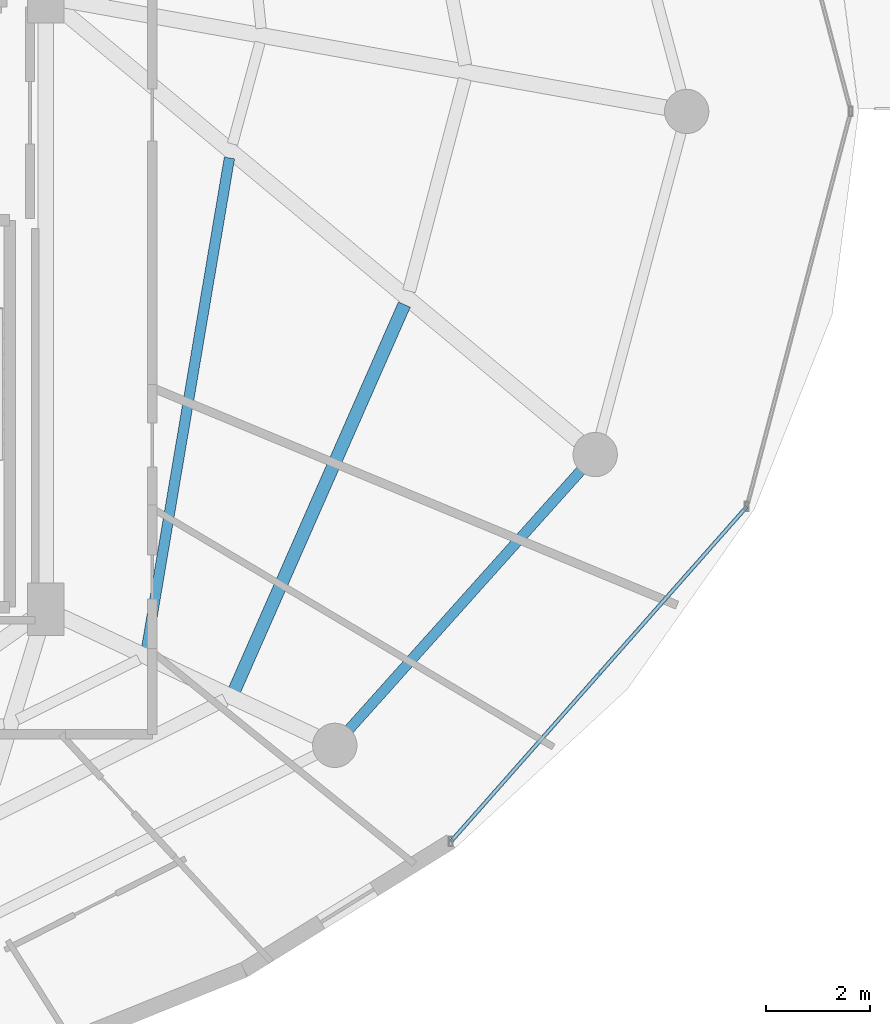
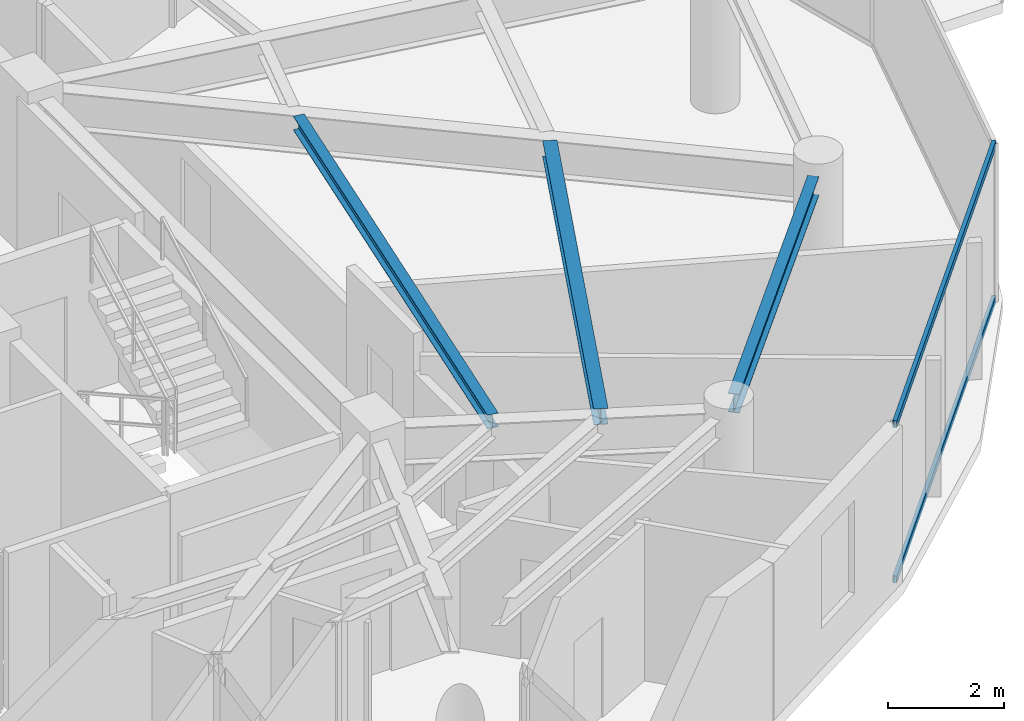
# One storey, part 13 of 32: 3 beams, 2 members, 1 element without a shape of its own.
"""IFC4 building model written with IfcOpenShell, lengths in metres."""

from ifc_helpers import new_model, si_unit, direction, frame, origin, origin_2d, place, context, subcontext, project, spatial, hollow_rectangle, i_section, extrude, material, material_profile, profile_set, type_object, element, aggregate, save


model = new_model("IFC4")

# Units and contexts
model_context = context("Model", 3, precision=1e-05, world=origin(), true_north=direction((0.0, 1.0)))
body_context = subcontext(model_context, "Body", "Model", "MODEL_VIEW")
ifc_project = project(units=[si_unit("LENGTHUNIT", "METRE"), si_unit("AREAUNIT", "SQUARE_METRE"), si_unit("VOLUMEUNIT", "CUBIC_METRE"), si_unit("PLANEANGLEUNIT", "RADIAN"), si_unit("MASSUNIT", "GRAM", prefix="KILO")], contexts=[model_context])

# Site, building, storey
site_placement = place(None, origin())
site = spatial("IfcSite", under=ifc_project, at=site_placement, CompositionType="ELEMENT")
building_placement = place(site_placement, origin())
building = spatial("IfcBuilding", under=site, at=building_placement, Name="Vorneva Point Tower", CompositionType="ELEMENT")
storey_placement = place(building_placement, frame((0.0, 0.0, 269.75)))
storey = spatial("IfcBuildingStorey", under=building, at=storey_placement, Name="L73", CompositionType="ELEMENT", Elevation=269.75)

# Beams
ifc_material_1 = material(Name="Steel S355", Category="steel")
ifc_material_profile_1 = material_profile(ifc_material_1, i_section(OverallWidth=0.199951171875, OverallDepth=0.291015625, WebThickness=0.008056640625, FlangeThickness=0.010986328125, at=origin_2d()), Name="30Sh1")
ifc_profile_set_1 = profile_set([ifc_material_profile_1], Name="Steel S355")
beam_type_1 = type_object("IfcBeamType", Name="BM-SEC-30Sh1", PredefinedType="BEAM", material=ifc_profile_set_1)
beam_1_placement = place(storey_placement, frame((50.686767578125, 15.68505859375, 3.14453125), z_axis=(0.166457815595, 0.986048576708, 0.0), x_axis=(-0.986048576708, 0.166457815595, 0.0)))
element("IfcBeam", 1, at=beam_1_placement, inside=storey, type_object=beam_type_1, Name="L73 Secondary Floor Beam 2.15", PredefinedType="BEAM", context=body_context, shape_type="SweptSolid", body=[
    extrude(i_section(OverallWidth=0.199951171875, OverallDepth=0.291015625, WebThickness=0.008056640625, FlangeThickness=0.010986328125, at=origin_2d()), origin(), (0.0, 0.0, 1.0), 9.555419921875),
])
ifc_material_profile_2 = material_profile(ifc_material_1, i_section(OverallWidth=0.2490234375, OverallDepth=0.333984375, WebThickness=0.008056640625, FlangeThickness=0.010986328125, at=origin_2d()), Name="35Sh1")
ifc_profile_set_2 = profile_set([ifc_material_profile_2], Name="Steel S355")
beam_type_2 = type_object("IfcBeamType", Name="BM-SEC-35Sh1", PredefinedType="BEAM", material=ifc_profile_set_2)
beam_2_placement = place(storey_placement, frame((52.37451171875, 14.896240234375, 3.123046875), z_axis=(0.40308772822, 0.915161342802, 0.0), x_axis=(-0.915161342802, 0.40308772822, 0.0)))
element("IfcBeam", 2, at=beam_2_placement, inside=storey, type_object=beam_type_2, Name="L73 Secondary Floor Beam 1.15", PredefinedType="BEAM", context=body_context, shape_type="SweptSolid", body=[
    extrude(i_section(OverallWidth=0.2490234375, OverallDepth=0.333984375, WebThickness=0.008056640625, FlangeThickness=0.010986328125, at=origin_2d()), origin(), (0.0, 0.0, 1.0), 8.08447265625),
])
ifc_material_profile_3 = material_profile(ifc_material_1, i_section(OverallWidth=0.198974609375, OverallDepth=0.39599609375, WebThickness=0.007080078125, FlangeThickness=0.010986328125, at=origin_2d()), Name="40B1")
ifc_profile_set_3 = profile_set([ifc_material_profile_3], Name="Steel S355")
beam_type_3 = type_object("IfcBeamType", Name="BM-SPN-40B1", PredefinedType="SPANDREL", material=ifc_profile_set_3)
beam_3_placement = place(storey_placement, frame((54.572265625, 14.143310546875, 3.092041015625), z_axis=(0.667108282638, 0.744960763554, 0.0), x_axis=(-0.744960763554, 0.667108282638, 0.0)))
element("IfcBeam", 3, at=beam_3_placement, inside=storey, type_object=beam_type_3, Name="L73 Perimeter Spandrel Ring Beam 15", PredefinedType="SPANDREL", context=body_context, shape_type="SweptSolid", body=[
    extrude(i_section(OverallWidth=0.198974609375, OverallDepth=0.39599609375, WebThickness=0.007080078125, FlangeThickness=0.010986328125, at=origin_2d()), origin(), (0.0, 0.0, 1.0), 6.670166015625),
])

# Curtain wall, members
ifc_material_2 = material(Name="Pale anodised aluminium", Category="aluminium")
curtain_wall_type = type_object("IfcCurtainWallType", Name="CW-RES-SYS", PredefinedType="NOTDEFINED", material=ifc_material_2)
curtain_wall_placement = place(storey_placement, origin())
curtain_wall = element("IfcCurtainWall", 4, at=curtain_wall_placement, inside=storey, type_object=curtain_wall_type, Name="L73 Unitised Curtain Wall CW-L73-R01", PredefinedType="NOTDEFINED")
ifc_material_profile_4 = material_profile(ifc_material_2, hollow_rectangle(XDim=0.074951171875, YDim=0.14990234375, WallThickness=0.00390625, at=origin_2d()), Name="AL-TRN 150x75x4")
ifc_profile_set_4 = profile_set([ifc_material_profile_4], Name="Pale anodised aluminium")
member_type = type_object("IfcMemberType", Name="CW-TRN-150", PredefinedType="USERDEFINED", material=ifc_profile_set_4)
member_1_placement = place(storey_placement, frame((56.526123046875, 11.9921875, 0.02001953125), z_axis=(0.662196681357, 0.74933007093, 0.0), x_axis=(-0.74933007093, 0.662196681357, 0.0)))
member_1 = element("IfcMember", 5, at=member_1_placement, type_object=member_type, Name="CW-L73-R01 Transom 01.1", ObjectType="TRANSOM", PredefinedType="USERDEFINED", context=body_context, shape_type="SweptSolid", body=[
    extrude(hollow_rectangle(XDim=0.074951171875, YDim=0.14990234375, WallThickness=0.00390625, at=origin_2d()), origin(), (0.0, 0.0, 1.0), 8.57666015625),
])
member_2_placement = place(storey_placement, frame((56.526123046875, 11.9921875, 3.27001953125), z_axis=(0.662196681357, 0.74933007093, 0.0), x_axis=(-0.74933007093, 0.662196681357, 0.0)))
member_2 = element("IfcMember", 6, at=member_2_placement, type_object=member_type, Name="CW-L73-R01 Transom 01.2", ObjectType="TRANSOM", PredefinedType="USERDEFINED", context=body_context, shape_type="SweptSolid", body=[
    extrude(hollow_rectangle(XDim=0.074951171875, YDim=0.14990234375, WallThickness=0.00390625, at=origin_2d()), origin(), (0.0, 0.0, 1.0), 8.57666015625),
])
aggregate(curtain_wall, [member_1, member_2])

save(model, "model.ifc")
